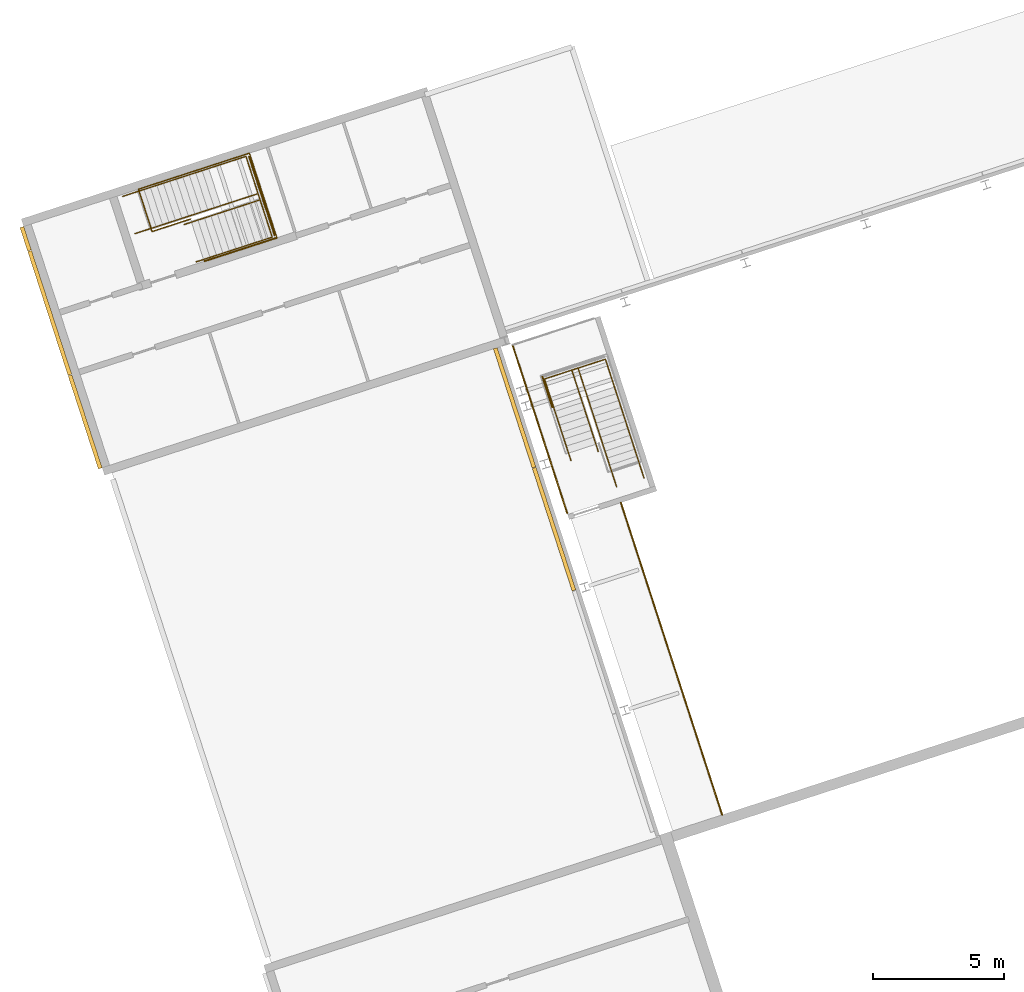
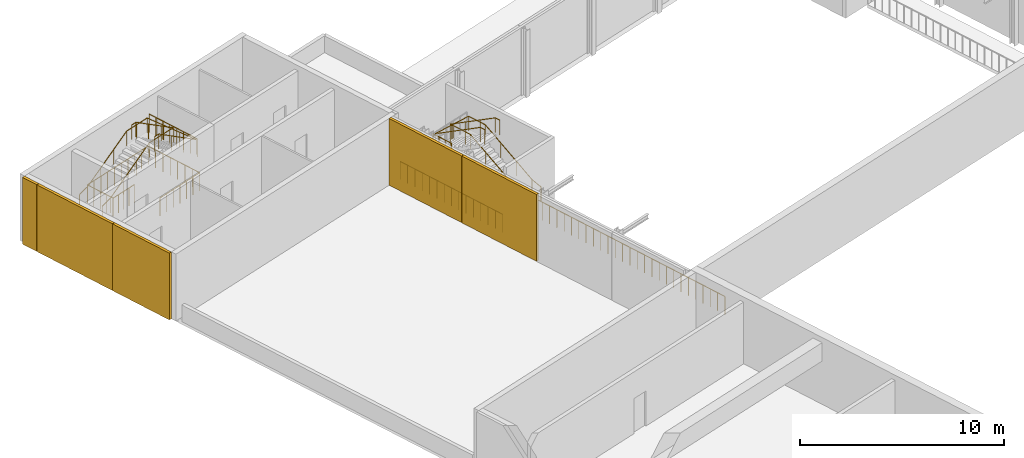
# One storey, part 68 of 72: 10 railings, 5 coverings.
"""IFC4 building model written with IfcOpenShell, lengths in metres."""

from ifc_helpers import new_model, si_unit, direction, frame, origin, origin_2d, place, context, subcontext, project, spatial, polyline, circle, outline, extrude, material, layer, layer_set, type_object, element, save


model = new_model("IFC4")

# Units and contexts
model_context = context("Model", 3, precision=1e-05, world=origin(), true_north=direction((0.0, 1.0)))
body_context = subcontext(model_context, "Body", "Model", "MODEL_VIEW")
ifc_project = project(units=[si_unit("LENGTHUNIT", "METRE"), si_unit("AREAUNIT", "SQUARE_METRE"), si_unit("VOLUMEUNIT", "CUBIC_METRE"), si_unit("PLANEANGLEUNIT", "RADIAN"), si_unit("MASSUNIT", "GRAM", prefix="KILO")], contexts=[model_context])

# Site, building, storey
site_placement = place(None, origin())
site = spatial("IfcSite", under=ifc_project, at=site_placement, CompositionType="ELEMENT")
building_placement = place(site_placement, origin())
building = spatial("IfcBuilding", under=site, at=building_placement, Name="Tuart Plaza Theatre", CompositionType="ELEMENT")
storey_placement = place(building_placement, frame((0.0, 0.0, 13.5)))
storey = spatial("IfcBuildingStorey", under=building, at=storey_placement, Name="L03", CompositionType="ELEMENT", Elevation=13.5)

# Coverings
ifc_material_1 = material(Name="Zinc")
ifc_layer = layer(ifc_material_1, 0.14990234375)
ifc_layer_set = layer_set([ifc_layer], Name="COVERING-ZINC-RAINSCREEN150")
covering_type = type_object("IfcCoveringType", Name="COVERING-ZINC-RAINSCREEN150", PredefinedType="CLADDING", material=ifc_layer_set)
covering_1_placement = place(storey_placement, origin())
element("IfcCovering", 1, at=covering_1_placement, inside=storey, type_object=covering_type, Name="CL10", PredefinedType="CLADDING", context=body_context, shape_type="SweptSolid", body=[
    extrude(outline(polyline([(37.733642578125, 78.085693359375), (36.210205078125, 82.7744140625), (36.352783203125, 82.82080078125), (37.876220703125, 78.132080078125), (37.733642578125, 78.085693359375)])), origin(), (0.0, 0.0, 1.0), 4.0),
])
covering_2_placement = place(storey_placement, origin())
element("IfcCovering", 2, at=covering_2_placement, inside=storey, type_object=covering_type, Name="CL11", PredefinedType="CLADDING", context=body_context, shape_type="SweptSolid", body=[
    extrude(outline(polyline([(36.203857421875, 82.793212890625), (34.7236328125, 87.348876953125), (34.866455078125, 87.395263671875), (36.3466796875, 82.839599609375), (36.203857421875, 82.793212890625)])), origin(), (0.0, 0.0, 1.0), 4.0),
])
covering_3_placement = place(storey_placement, origin())
element("IfcCovering", 3, at=covering_3_placement, inside=storey, type_object=covering_type, Name="CL179", PredefinedType="CLADDING", context=body_context, shape_type="SweptSolid", body=[
    extrude(outline(polyline([(19.61865234375, 82.75634765625), (18.462890625, 86.313232421875), (18.60546875, 86.359619140625), (19.76123046875, 82.802734375), (19.61865234375, 82.75634765625)])), origin(), (0.0, 0.0, 1.0), 4.0),
])
covering_4_placement = place(storey_placement, origin())
element("IfcCovering", 4, at=covering_4_placement, inside=storey, type_object=covering_type, Name="CL180", PredefinedType="CLADDING", context=body_context, shape_type="SweptSolid", body=[
    extrude(outline(polyline([(18.456787109375, 86.33251953125), (16.917724609375, 91.068603515625), (17.060546875, 91.114990234375), (18.599365234375, 86.378662109375), (18.456787109375, 86.33251953125)])), origin(), (0.0, 0.0, 1.0), 4.0),
])
covering_5_placement = place(storey_placement, origin())
element("IfcCovering", 5, at=covering_5_placement, inside=storey, type_object=covering_type, Name="CL181", PredefinedType="CLADDING", context=body_context, shape_type="SweptSolid", body=[
    extrude(outline(polyline([(16.91162109375, 91.087646484375), (16.62109375, 91.981689453125), (16.763916015625, 92.028076171875), (17.05419921875, 91.134033203125), (16.91162109375, 91.087646484375)])), origin(), (0.0, 0.0, 1.0), 4.0),
])

# Railings
ifc_material_2 = material(Name="Steel Grade C350L0", Category="steel")
railing_type_1 = type_object("IfcRailingType", Name="RAILING Guard 1100", PredefinedType="GUARDRAIL", material=ifc_material_2)
railing_1_placement = place(storey_placement, frame((26.4404296875, 91.59716796875, 0.0)))
element("IfcRailing", 6, at=railing_1_placement, inside=storey, type_object=railing_type_1, Name="GR31", PredefinedType="GUARDRAIL", context=body_context, shape_type="SweptSolid", body=[
    extrude(circle(Radius=0.02490234375, at=origin_2d()), frame((0.0, 0.0, 1.0751953125), z_axis=(-0.951039018312, -0.309070842442, 0.0), x_axis=(0.309070842442, -0.951039018312, 0.0)), (0.0, 0.0, 1.0), 2.89990234375),
    extrude(circle(Radius=0.02490234375, at=origin_2d()), frame((-2.7578125, -0.896240234375, 1.0751953125), z_axis=(-0.316227766017, 0.948683298051, 0.0), x_axis=(-0.948683298051, -0.316227766017, 0.0)), (0.0, 0.0, 1.0), 0.02001953125),
    extrude(circle(Radius=0.02001953125, at=origin_2d()), origin(), (0.0, 0.0, 1.0), 1.050048828125),
    extrude(circle(Radius=0.02001953125, at=origin_2d()), frame((-0.459716796875, -0.1494140625, 0.0)), (0.0, 0.0, 1.0), 1.050048828125),
    extrude(circle(Radius=0.02001953125, at=origin_2d()), frame((-0.919189453125, -0.298828125, 0.0)), (0.0, 0.0, 1.0), 1.050048828125),
    extrude(circle(Radius=0.02001953125, at=origin_2d()), frame((-1.37890625, -0.4482421875, 0.0)), (0.0, 0.0, 1.0), 1.050048828125),
    extrude(circle(Radius=0.02001953125, at=origin_2d()), frame((-1.838623046875, -0.597412109375, 0.0)), (0.0, 0.0, 1.0), 1.050048828125),
    extrude(circle(Radius=0.02001953125, at=origin_2d()), frame((-2.298095703125, -0.746826171875, 0.0)), (0.0, 0.0, 1.0), 1.050048828125),
    extrude(circle(Radius=0.02001953125, at=origin_2d()), frame((-2.7578125, -0.896240234375, 0.0)), (0.0, 0.0, 1.0), 1.050048828125),
    extrude(circle(Radius=0.02001953125, at=origin_2d()), frame((-2.76416015625, -0.877197265625, 0.0)), (0.0, 0.0, 1.0), 1.050048828125),
])
railing_2_placement = place(storey_placement, frame((23.15234375, 92.316162109375, 0.0)))
element("IfcRailing", 7, at=railing_2_placement, inside=storey, type_object=railing_type_1, Name="GR32", PredefinedType="GUARDRAIL", context=body_context, shape_type="SweptSolid", body=[
    extrude(circle(Radius=0.02490234375, at=origin_2d()), frame((0.0, 0.0, 1.0751953125), z_axis=(-0.951058297536, -0.309011512226, 0.0), x_axis=(0.309011512226, -0.951058297536, 0.0)), (0.0, 0.0, 1.0), 1.554931640625),
    extrude(circle(Radius=0.02490234375, at=origin_2d()), frame((-1.478759765625, -0.48046875, 1.0751953125), z_axis=(-0.309024378638, 0.951054116971, 0.0), x_axis=(-0.951054116971, -0.309024378638, 0.0)), (0.0, 0.0, 1.0), 1.7001953125),
    extrude(circle(Radius=0.02490234375, at=origin_2d()), frame((-2.004150390625, 1.136474609375, 1.0751953125), z_axis=(0.951059006692, 0.309009329618, 0.0), x_axis=(-0.309009329618, 0.951059006692, 0.0)), (0.0, 0.0, 1.0), 4.4599609375),
    extrude(circle(Radius=0.02490234375, at=origin_2d()), frame((2.237548828125, 2.5146484375, 1.0751953125), z_axis=(0.308980533303, -0.951068362443, 0.0), x_axis=(0.951068362443, 0.308980533303, 0.0)), (0.0, 0.0, 1.0), 3.39990234375),
    extrude(circle(Radius=0.02001953125, at=origin_2d()), origin(), (0.0, 0.0, 1.0), 1.050048828125),
    extrude(circle(Radius=0.02001953125, at=origin_2d()), frame((-0.36962890625, -0.1201171875, 0.0)), (0.0, 0.0, 1.0), 1.050048828125),
    extrude(circle(Radius=0.02001953125, at=origin_2d()), frame((-0.7392578125, -0.240234375, 0.0)), (0.0, 0.0, 1.0), 1.050048828125),
    extrude(circle(Radius=0.02001953125, at=origin_2d()), frame((-1.109130859375, -0.3603515625, 0.0)), (0.0, 0.0, 1.0), 1.050048828125),
    extrude(circle(Radius=0.02001953125, at=origin_2d()), frame((-1.478759765625, -0.48046875, 0.0)), (0.0, 0.0, 1.0), 1.050048828125),
    extrude(circle(Radius=0.02001953125, at=origin_2d()), frame((-1.610107421875, -0.076171875, 0.0)), (0.0, 0.0, 1.0), 1.050048828125),
    extrude(circle(Radius=0.02001953125, at=origin_2d()), frame((-1.741455078125, 0.328125, 0.0)), (0.0, 0.0, 1.0), 1.050048828125),
    extrude(circle(Radius=0.02001953125, at=origin_2d()), frame((-1.872802734375, 0.732177734375, 0.0)), (0.0, 0.0, 1.0), 1.050048828125),
    extrude(circle(Radius=0.02001953125, at=origin_2d()), frame((-2.004150390625, 1.136474609375, 0.0)), (0.0, 0.0, 1.0), 1.050048828125),
    extrude(circle(Radius=0.02001953125, at=origin_2d()), frame((-1.532958984375, 1.28955078125, 0.0)), (0.0, 0.0, 1.0), 1.050048828125),
    extrude(circle(Radius=0.02001953125, at=origin_2d()), frame((-1.0615234375, 1.442626953125, 0.0)), (0.0, 0.0, 1.0), 1.050048828125),
    extrude(circle(Radius=0.02001953125, at=origin_2d()), frame((-0.59033203125, 1.595947265625, 0.0)), (0.0, 0.0, 1.0), 1.050048828125),
    extrude(circle(Radius=0.02001953125, at=origin_2d()), frame((-0.118896484375, 1.7490234375, 0.0)), (0.0, 0.0, 1.0), 1.050048828125),
    extrude(circle(Radius=0.02001953125, at=origin_2d()), frame((0.352294921875, 1.902099609375, 0.0)), (0.0, 0.0, 1.0), 1.050048828125),
    extrude(circle(Radius=0.02001953125, at=origin_2d()), frame((0.82373046875, 2.05517578125, 0.0)), (0.0, 0.0, 1.0), 1.050048828125),
    extrude(circle(Radius=0.02001953125, at=origin_2d()), frame((1.294921875, 2.20849609375, 0.0)), (0.0, 0.0, 1.0), 1.050048828125),
    extrude(circle(Radius=0.02001953125, at=origin_2d()), frame((1.766357421875, 2.361572265625, 0.0)), (0.0, 0.0, 1.0), 1.050048828125),
    extrude(circle(Radius=0.02001953125, at=origin_2d()), frame((2.237548828125, 2.5146484375, 0.0)), (0.0, 0.0, 1.0), 1.050048828125),
    extrude(circle(Radius=0.02001953125, at=origin_2d()), frame((2.3876953125, 2.052734375, 0.0)), (0.0, 0.0, 1.0), 1.050048828125),
    extrude(circle(Radius=0.02001953125, at=origin_2d()), frame((2.53759765625, 1.5908203125, 0.0)), (0.0, 0.0, 1.0), 1.050048828125),
    extrude(circle(Radius=0.02001953125, at=origin_2d()), frame((2.687744140625, 1.12890625, 0.0)), (0.0, 0.0, 1.0), 1.050048828125),
    extrude(circle(Radius=0.02001953125, at=origin_2d()), frame((2.837890625, 0.666748046875, 0.0)), (0.0, 0.0, 1.0), 1.050048828125),
    extrude(circle(Radius=0.02001953125, at=origin_2d()), frame((2.988037109375, 0.204833984375, 0.0)), (0.0, 0.0, 1.0), 1.050048828125),
    extrude(circle(Radius=0.02001953125, at=origin_2d()), frame((3.137939453125, -0.257080078125, 0.0)), (0.0, 0.0, 1.0), 1.050048828125),
    extrude(circle(Radius=0.02001953125, at=origin_2d()), frame((3.2880859375, -0.718994140625, 0.0)), (0.0, 0.0, 1.0), 1.050048828125),
])
railing_3_placement = place(storey_placement, frame((25.37939453125, 94.701171875, 2.0)))
element("IfcRailing", 8, at=railing_3_placement, inside=storey, type_object=railing_type_1, Name="GR36", PredefinedType="GUARDRAIL", context=body_context, shape_type="SweptSolid", body=[
    extrude(circle(Radius=0.02490234375, at=origin_2d()), frame((0.0, 0.0, 1.0751953125), z_axis=(0.309033663672, -0.951051099951, 0.0), x_axis=(0.951051099951, 0.309033663672, 0.0)), (0.0, 0.0, 1.0), 3.16015625),
    extrude(circle(Radius=0.02001953125, at=origin_2d()), origin(), (0.0, 0.0, 1.0), 1.050048828125),
    extrude(circle(Radius=0.02001953125, at=origin_2d()), frame((0.139404296875, -0.429443359375, 0.0)), (0.0, 0.0, 1.0), 1.050048828125),
    extrude(circle(Radius=0.02001953125, at=origin_2d()), frame((0.279052734375, -0.858642578125, 0.0)), (0.0, 0.0, 1.0), 1.050048828125),
    extrude(circle(Radius=0.02001953125, at=origin_2d()), frame((0.41845703125, -1.2880859375, 0.0)), (0.0, 0.0, 1.0), 1.050048828125),
    extrude(circle(Radius=0.02001953125, at=origin_2d()), frame((0.55810546875, -1.71728515625, 0.0)), (0.0, 0.0, 1.0), 1.050048828125),
    extrude(circle(Radius=0.02001953125, at=origin_2d()), frame((0.697509765625, -2.146728515625, 0.0)), (0.0, 0.0, 1.0), 1.050048828125),
    extrude(circle(Radius=0.02001953125, at=origin_2d()), frame((0.837158203125, -2.575927734375, 0.0)), (0.0, 0.0, 1.0), 1.050048828125),
    extrude(circle(Radius=0.02001953125, at=origin_2d()), frame((0.9765625, -3.00537109375, 0.0)), (0.0, 0.0, 1.0), 1.050048828125),
])
railing_4_placement = place(storey_placement, frame((36.593994140625, 86.284912109375, 2.0)))
element("IfcRailing", 9, at=railing_4_placement, inside=storey, type_object=railing_type_1, Name="GR63", PredefinedType="GUARDRAIL", context=body_context, shape_type="SweptSolid", body=[
    extrude(circle(Radius=0.02490234375, at=origin_2d()), frame((0.0, 0.0, 1.0751953125), z_axis=(0.309014268544, -0.951057401967, 0.0), x_axis=(0.951057401967, 0.309014268544, 0.0)), (0.0, 0.0, 1.0), 1.230224609375),
    extrude(circle(Radius=0.02001953125, at=origin_2d()), origin(), (0.0, 0.0, 1.0), 1.050048828125),
    extrude(circle(Radius=0.02001953125, at=origin_2d()), frame((0.126708984375, -0.389892578125, 0.0)), (0.0, 0.0, 1.0), 1.050048828125),
    extrude(circle(Radius=0.02001953125, at=origin_2d()), frame((0.25341796875, -0.780029296875, 0.0)), (0.0, 0.0, 1.0), 1.050048828125),
    extrude(circle(Radius=0.02001953125, at=origin_2d()), frame((0.380126953125, -1.169921875, 0.0)), (0.0, 0.0, 1.0), 1.050048828125),
])
railing_5_placement = place(storey_placement, frame((35.45068359375, 87.50634765625, 0.0)))
element("IfcRailing", 10, at=railing_5_placement, inside=storey, type_object=railing_type_1, Name="GR99", PredefinedType="GUARDRAIL", context=body_context, shape_type="SweptSolid", body=[
    extrude(circle(Radius=0.02490234375, at=origin_2d()), frame((0.0, 0.0, 1.0751953125), z_axis=(0.309019159347, -0.95105581285, 0.0), x_axis=(0.95105581285, 0.309019159347, 0.0)), (0.0, 0.0, 1.0), 6.76513671875),
    extrude(circle(Radius=0.02001953125, at=origin_2d()), origin(), (0.0, 0.0, 1.0), 1.050048828125),
    extrude(circle(Radius=0.02001953125, at=origin_2d()), frame((0.1494140625, -0.45947265625, 0.0)), (0.0, 0.0, 1.0), 1.050048828125),
    extrude(circle(Radius=0.02001953125, at=origin_2d()), frame((0.298583984375, -0.919189453125, 0.0)), (0.0, 0.0, 1.0), 1.050048828125),
    extrude(circle(Radius=0.02001953125, at=origin_2d()), frame((0.447998046875, -1.378662109375, 0.0)), (0.0, 0.0, 1.0), 1.050048828125),
    extrude(circle(Radius=0.02001953125, at=origin_2d()), frame((0.597412109375, -1.83837890625, 0.0)), (0.0, 0.0, 1.0), 1.050048828125),
    extrude(circle(Radius=0.02001953125, at=origin_2d()), frame((0.74658203125, -2.2978515625, 0.0)), (0.0, 0.0, 1.0), 1.050048828125),
    extrude(circle(Radius=0.02001953125, at=origin_2d()), frame((0.89599609375, -2.757568359375, 0.0)), (0.0, 0.0, 1.0), 1.050048828125),
    extrude(circle(Radius=0.02001953125, at=origin_2d()), frame((1.04541015625, -3.217041015625, 0.0)), (0.0, 0.0, 1.0), 1.050048828125),
    extrude(circle(Radius=0.02001953125, at=origin_2d()), frame((1.194580078125, -3.676513671875, 0.0)), (0.0, 0.0, 1.0), 1.050048828125),
    extrude(circle(Radius=0.02001953125, at=origin_2d()), frame((1.343994140625, -4.13623046875, 0.0)), (0.0, 0.0, 1.0), 1.050048828125),
    extrude(circle(Radius=0.02001953125, at=origin_2d()), frame((1.4931640625, -4.595703125, 0.0)), (0.0, 0.0, 1.0), 1.050048828125),
    extrude(circle(Radius=0.02001953125, at=origin_2d()), frame((1.642578125, -5.055419921875, 0.0)), (0.0, 0.0, 1.0), 1.050048828125),
    extrude(circle(Radius=0.02001953125, at=origin_2d()), frame((1.7919921875, -5.514892578125, 0.0)), (0.0, 0.0, 1.0), 1.050048828125),
    extrude(circle(Radius=0.02001953125, at=origin_2d()), frame((1.941162109375, -5.974609375, 0.0)), (0.0, 0.0, 1.0), 1.050048828125),
    extrude(circle(Radius=0.02001953125, at=origin_2d()), frame((2.090576171875, -6.43408203125, 0.0)), (0.0, 0.0, 1.0), 1.050048828125),
])
railing_6_placement = place(storey_placement, frame((43.47314453125, 69.530517578125, 0.0)))
element("IfcRailing", 11, at=railing_6_placement, inside=storey, type_object=railing_type_1, Name="GR117", PredefinedType="GUARDRAIL", context=body_context, shape_type="SweptSolid", body=[
    extrude(circle(Radius=0.02490234375, at=origin_2d()), frame((0.0, 0.0, 1.0751953125), z_axis=(-0.309017011458, 0.951056510744, 0.0), x_axis=(-0.951056510744, -0.309017011458, 0.0)), (0.0, 0.0, 1.0), 12.550048828125),
    extrude(circle(Radius=0.02001953125, at=origin_2d()), origin(), (0.0, 0.0, 1.0), 1.050048828125),
    extrude(circle(Radius=0.02001953125, at=origin_2d()), frame((-0.149169921875, 0.458984375, 0.0)), (0.0, 0.0, 1.0), 1.050048828125),
    extrude(circle(Radius=0.02001953125, at=origin_2d()), frame((-0.29833984375, 0.918212890625, 0.0)), (0.0, 0.0, 1.0), 1.050048828125),
    extrude(circle(Radius=0.02001953125, at=origin_2d()), frame((-0.447509765625, 1.377197265625, 0.0)), (0.0, 0.0, 1.0), 1.050048828125),
    extrude(circle(Radius=0.02001953125, at=origin_2d()), frame((-0.5966796875, 1.836181640625, 0.0)), (0.0, 0.0, 1.0), 1.050048828125),
    extrude(circle(Radius=0.02001953125, at=origin_2d()), frame((-0.745849609375, 2.29541015625, 0.0)), (0.0, 0.0, 1.0), 1.050048828125),
    extrude(circle(Radius=0.02001953125, at=origin_2d()), frame((-0.89501953125, 2.75439453125, 0.0)), (0.0, 0.0, 1.0), 1.050048828125),
    extrude(circle(Radius=0.02001953125, at=origin_2d()), frame((-1.044189453125, 3.21337890625, 0.0)), (0.0, 0.0, 1.0), 1.050048828125),
    extrude(circle(Radius=0.02001953125, at=origin_2d()), frame((-1.193359375, 3.672607421875, 0.0)), (0.0, 0.0, 1.0), 1.050048828125),
    extrude(circle(Radius=0.02001953125, at=origin_2d()), frame((-1.342529296875, 4.131591796875, 0.0)), (0.0, 0.0, 1.0), 1.050048828125),
    extrude(circle(Radius=0.02001953125, at=origin_2d()), frame((-1.49169921875, 4.590576171875, 0.0)), (0.0, 0.0, 1.0), 1.050048828125),
    extrude(circle(Radius=0.02001953125, at=origin_2d()), frame((-1.640869140625, 5.0498046875, 0.0)), (0.0, 0.0, 1.0), 1.050048828125),
    extrude(circle(Radius=0.02001953125, at=origin_2d()), frame((-1.7900390625, 5.5087890625, 0.0)), (0.0, 0.0, 1.0), 1.050048828125),
    extrude(circle(Radius=0.02001953125, at=origin_2d()), frame((-1.93896484375, 5.9677734375, 0.0)), (0.0, 0.0, 1.0), 1.050048828125),
    extrude(circle(Radius=0.02001953125, at=origin_2d()), frame((-2.088134765625, 6.427001953125, 0.0)), (0.0, 0.0, 1.0), 1.050048828125),
    extrude(circle(Radius=0.02001953125, at=origin_2d()), frame((-2.2373046875, 6.885986328125, 0.0)), (0.0, 0.0, 1.0), 1.050048828125),
    extrude(circle(Radius=0.02001953125, at=origin_2d()), frame((-2.386474609375, 7.34521484375, 0.0)), (0.0, 0.0, 1.0), 1.050048828125),
    extrude(circle(Radius=0.02001953125, at=origin_2d()), frame((-2.53564453125, 7.80419921875, 0.0)), (0.0, 0.0, 1.0), 1.050048828125),
    extrude(circle(Radius=0.02001953125, at=origin_2d()), frame((-2.684814453125, 8.26318359375, 0.0)), (0.0, 0.0, 1.0), 1.050048828125),
    extrude(circle(Radius=0.02001953125, at=origin_2d()), frame((-2.833984375, 8.722412109375, 0.0)), (0.0, 0.0, 1.0), 1.050048828125),
    extrude(circle(Radius=0.02001953125, at=origin_2d()), frame((-2.983154296875, 9.181396484375, 0.0)), (0.0, 0.0, 1.0), 1.050048828125),
    extrude(circle(Radius=0.02001953125, at=origin_2d()), frame((-3.13232421875, 9.640380859375, 0.0)), (0.0, 0.0, 1.0), 1.050048828125),
    extrude(circle(Radius=0.02001953125, at=origin_2d()), frame((-3.281494140625, 10.099609375, 0.0)), (0.0, 0.0, 1.0), 1.050048828125),
    extrude(circle(Radius=0.02001953125, at=origin_2d()), frame((-3.4306640625, 10.55859375, 0.0)), (0.0, 0.0, 1.0), 1.050048828125),
    extrude(circle(Radius=0.02001953125, at=origin_2d()), frame((-3.579833984375, 11.017578125, 0.0)), (0.0, 0.0, 1.0), 1.050048828125),
    extrude(circle(Radius=0.02001953125, at=origin_2d()), frame((-3.72900390625, 11.476806640625, 0.0)), (0.0, 0.0, 1.0), 1.050048828125),
    extrude(circle(Radius=0.02001953125, at=origin_2d()), frame((-3.878173828125, 11.935791015625, 0.0)), (0.0, 0.0, 1.0), 1.050048828125),
])
ifc_material_3 = material(Name="Steel Grade C350L0", Category="steel")
railing_type_2 = type_object("IfcRailingType", Name="RAILING Handrail 900", PredefinedType="HANDRAIL", material=ifc_material_3)
railing_7_placement = place(storey_placement, frame((21.007080078125, 91.750732421875, 0.0)))
element("IfcRailing", 12, at=railing_7_placement, inside=storey, type_object=railing_type_2, Name="HR23", PredefinedType="HANDRAIL", context=body_context, shape_type="SweptSolid", body=[
    extrude(circle(Radius=0.0224609375, at=origin_2d()), frame((0.0, 0.0, 0.87744140625), z_axis=(0.91641792704, 0.297502654672, 0.267713192544), x_axis=(-0.308773297186, 0.951135663796, 0.0)), (0.0, 0.0, 1.0), 0.622802734375),
    extrude(circle(Radius=0.0224609375, at=origin_2d()), frame((0.57080078125, 0.185302734375, 1.044189453125), z_axis=(0.80067958274, 0.260161573424, 0.539655595261), x_axis=(-0.309022373402, 0.951054768527, 0.0)), (0.0, 0.0, 1.0), 3.39697265625),
    extrude(circle(Radius=0.0224609375, at=origin_2d()), frame((3.290771484375, 1.069091796875, 2.87744140625), z_axis=(0.951032872603, 0.309089752708, 0.0), x_axis=(-0.309089752708, 0.951032872603, 0.0)), (0.0, 0.0, 1.0), 1.5),
    extrude(circle(Radius=0.0224609375, at=origin_2d()), frame((4.71728515625, 1.53271484375, 2.87744140625), z_axis=(0.227464384092, -0.698896877306, 0.678087832704), x_axis=(0.95090484413, 0.309483404096, 0.0)), (0.0, 0.0, 1.0), 0.34033203125),
    extrude(circle(Radius=0.0224609375, at=origin_2d()), frame((4.794677734375, 1.294921875, 3.108154296875), z_axis=(-0.800683001475, -0.26011771988, 0.539671662174), x_axis=(0.308974063591, -0.951070464281, 0.0)), (0.0, 0.0, 1.0), 3.278564453125),
    extrude(circle(Radius=0.0224609375, at=origin_2d()), frame((2.169677734375, 0.442138671875, 4.87744140625), z_axis=(-0.951016131768, -0.309141257546, 0.0), x_axis=(0.309141257546, -0.951016131768, 0.0)), (0.0, 0.0, 1.0), 0.300048828125),
    extrude(circle(Radius=0.01513671875, at=origin_2d()), origin(), (0.0, 0.0, 1.0), 0.85498046875),
    extrude(circle(Radius=0.01513671875, at=origin_2d()), frame((0.57080078125, 0.185302734375, 0.166748046875)), (0.0, 0.0, 1.0), 0.85498046875),
    extrude(circle(Radius=0.01513671875, at=origin_2d()), frame((1.4775390625, 0.47998046875, 0.77783203125)), (0.0, 0.0, 1.0), 0.85498046875),
    extrude(circle(Radius=0.01513671875, at=origin_2d()), frame((2.384033203125, 0.7744140625, 1.388916015625)), (0.0, 0.0, 1.0), 0.85498046875),
    extrude(circle(Radius=0.01513671875, at=origin_2d()), frame((3.290771484375, 1.069091796875, 2.0)), (0.0, 0.0, 1.0), 0.85498046875),
    extrude(circle(Radius=0.01513671875, at=origin_2d()), frame((4.71728515625, 1.53271484375, 2.0)), (0.0, 0.0, 1.0), 0.85498046875),
    extrude(circle(Radius=0.01513671875, at=origin_2d()), frame((4.794677734375, 1.294921875, 2.230712890625)), (0.0, 0.0, 1.0), 0.85498046875),
    extrude(circle(Radius=0.01513671875, at=origin_2d()), frame((3.919677734375, 1.0107421875, 2.820556640625)), (0.0, 0.0, 1.0), 0.85498046875),
    extrude(circle(Radius=0.01513671875, at=origin_2d()), frame((3.044677734375, 0.726318359375, 3.41015625)), (0.0, 0.0, 1.0), 0.85498046875),
    extrude(circle(Radius=0.01513671875, at=origin_2d()), frame((2.169677734375, 0.442138671875, 4.0)), (0.0, 0.0, 1.0), 0.85498046875),
    extrude(circle(Radius=0.01513671875, at=origin_2d()), frame((1.88427734375, 0.349365234375, 4.0)), (0.0, 0.0, 1.0), 0.85498046875),
])
railing_8_placement = place(storey_placement, frame((20.543701171875, 93.17724609375, 0.0)))
element("IfcRailing", 13, at=railing_8_placement, inside=storey, type_object=railing_type_2, Name="HR24", PredefinedType="HANDRAIL", context=body_context, shape_type="SweptSolid", body=[
    extrude(circle(Radius=0.0224609375, at=origin_2d()), frame((0.0, 0.0, 0.87744140625), z_axis=(0.916248123003, 0.297966869269, 0.267778120672), x_axis=(-0.309260889552, 0.950977235371, 0.0)), (0.0, 0.0, 1.0), 0.622802734375),
    extrude(circle(Radius=0.0224609375, at=origin_2d()), frame((0.570556640625, 0.185546875, 1.044189453125), z_axis=(0.80067958274, 0.260161573424, 0.539655595261), x_axis=(-0.309022373402, 0.951054768527, 0.0)), (0.0, 0.0, 1.0), 3.39697265625),
    extrude(circle(Radius=0.0224609375, at=origin_2d()), frame((3.29052734375, 1.0693359375, 2.87744140625), z_axis=(0.951096241278, 0.308894706699, 0.0), x_axis=(-0.308894706699, 0.951096241278, 0.0)), (0.0, 0.0, 1.0), 1.5),
    extrude(circle(Radius=0.0224609375, at=origin_2d()), frame((4.71728515625, 1.53271484375, 2.87744140625), z_axis=(0.308208462342, -0.948679585037, 0.070813760494), x_axis=(0.951067187383, 0.308984150214, 0.0)), (0.0, 0.0, 1.0), 3.258056640625),
    extrude(circle(Radius=0.0224609375, at=origin_2d()), frame((5.721435546875, -1.55810546875, 3.108154296875), z_axis=(-0.800640759168, -0.260202661383, 0.539693384959), x_axis=(0.309080071637, -0.951036018938, 0.0)), (0.0, 0.0, 1.0), 3.2783203125),
    extrude(circle(Radius=0.0224609375, at=origin_2d()), frame((3.0966796875, -2.4111328125, 4.87744140625), z_axis=(-0.951255083436, -0.308405198137, 0.0), x_axis=(0.308405198137, -0.951255083436, 0.0)), (0.0, 0.0, 1.0), 0.300048828125),
    extrude(circle(Radius=0.01513671875, at=origin_2d()), origin(), (0.0, 0.0, 1.0), 0.85498046875),
    extrude(circle(Radius=0.01513671875, at=origin_2d()), frame((0.570556640625, 0.185546875, 0.166748046875)), (0.0, 0.0, 1.0), 0.85498046875),
    extrude(circle(Radius=0.01513671875, at=origin_2d()), frame((1.477294921875, 0.480224609375, 0.77783203125)), (0.0, 0.0, 1.0), 0.85498046875),
    extrude(circle(Radius=0.01513671875, at=origin_2d()), frame((2.3837890625, 0.774658203125, 1.388916015625)), (0.0, 0.0, 1.0), 0.85498046875),
    extrude(circle(Radius=0.01513671875, at=origin_2d()), frame((3.29052734375, 1.0693359375, 2.0)), (0.0, 0.0, 1.0), 0.85498046875),
    extrude(circle(Radius=0.01513671875, at=origin_2d()), frame((4.00390625, 1.301025390625, 2.0)), (0.0, 0.0, 1.0), 0.85498046875),
    extrude(circle(Radius=0.01513671875, at=origin_2d()), frame((4.71728515625, 1.53271484375, 2.0)), (0.0, 0.0, 1.0), 0.85498046875),
    extrude(circle(Radius=0.01513671875, at=origin_2d()), frame((5.052001953125, 0.50244140625, 2.076904296875)), (0.0, 0.0, 1.0), 0.85498046875),
    extrude(circle(Radius=0.01513671875, at=origin_2d()), frame((5.38671875, -0.52783203125, 2.15380859375)), (0.0, 0.0, 1.0), 0.85498046875),
    extrude(circle(Radius=0.01513671875, at=origin_2d()), frame((5.721435546875, -1.55810546875, 2.230712890625)), (0.0, 0.0, 1.0), 0.85498046875),
    extrude(circle(Radius=0.01513671875, at=origin_2d()), frame((4.846435546875, -1.842529296875, 2.820556640625)), (0.0, 0.0, 1.0), 0.85498046875),
    extrude(circle(Radius=0.01513671875, at=origin_2d()), frame((3.9716796875, -2.126708984375, 3.41015625)), (0.0, 0.0, 1.0), 0.85498046875),
    extrude(circle(Radius=0.01513671875, at=origin_2d()), frame((3.0966796875, -2.4111328125, 4.0)), (0.0, 0.0, 1.0), 0.85498046875),
    extrude(circle(Radius=0.01513671875, at=origin_2d()), frame((2.811279296875, -2.503662109375, 4.0)), (0.0, 0.0, 1.0), 0.85498046875),
])
railing_9_placement = place(storey_placement, frame((39.436767578125, 82.066650390625, 0.0)))
element("IfcRailing", 14, at=railing_9_placement, inside=storey, type_object=railing_type_2, Name="HR35", PredefinedType="HANDRAIL", context=body_context, shape_type="SweptSolid", body=[
    extrude(circle(Radius=0.0224609375, at=origin_2d()), frame((0.0, 0.0, 0.87744140625), z_axis=(-0.297859866657, 0.916311010847, 0.267681959114), x_axis=(-0.951016131768, -0.309141257546, 0.0)), (0.0, 0.0, 1.0), 0.623046875),
    extrude(circle(Radius=0.0224609375, at=origin_2d()), frame((-0.185546875, 0.57080078125, 1.044189453125), z_axis=(-0.265513415955, 0.817247297236, 0.511477742536), x_axis=(-0.951065520339, -0.308989281404, 0.0)), (0.0, 0.0, 1.0), 3.584228515625),
    extrude(circle(Radius=0.0224609375, at=origin_2d()), frame((-1.13720703125, 3.5, 2.87744140625), z_axis=(-0.309161347536, 0.951009600998, 0.0), x_axis=(-0.951009600998, -0.309161347536, 0.0)), (0.0, 0.0, 1.0), 1.10009765625),
    extrude(circle(Radius=0.0224609375, at=origin_2d()), frame((-1.477294921875, 4.546142578125, 2.87744140625), z_axis=(-0.705135226707, -0.229005890688, 0.671074223978), x_axis=(0.30888714147, -0.951098698261, 0.0)), (0.0, 0.0, 1.0), 0.3369140625),
    extrude(circle(Radius=0.0224609375, at=origin_2d()), frame((-1.71484375, 4.468994140625, 3.103515625), z_axis=(0.265468554482, -0.817243290635, 0.511507429559), x_axis=(0.951080416459, 0.308943427553, 0.0)), (0.0, 0.0, 1.0), 3.468017578125),
    extrude(circle(Radius=0.0224609375, at=origin_2d()), frame((-0.794189453125, 1.634765625, 4.87744140625), z_axis=(0.309141257546, -0.951016131768, 0.0), x_axis=(0.951016131768, 0.309141257546, 0.0)), (0.0, 0.0, 1.0), 0.300048828125),
    extrude(circle(Radius=0.01513671875, at=origin_2d()), origin(), (0.0, 0.0, 1.0), 0.85498046875),
    extrude(circle(Radius=0.01513671875, at=origin_2d()), frame((-0.185546875, 0.57080078125, 0.166748046875)), (0.0, 0.0, 1.0), 0.85498046875),
    extrude(circle(Radius=0.01513671875, at=origin_2d()), frame((-0.502685546875, 1.547119140625, 0.77783203125)), (0.0, 0.0, 1.0), 0.85498046875),
    extrude(circle(Radius=0.01513671875, at=origin_2d()), frame((-0.820068359375, 2.523681640625, 1.388916015625)), (0.0, 0.0, 1.0), 0.85498046875),
    extrude(circle(Radius=0.01513671875, at=origin_2d()), frame((-1.13720703125, 3.5, 2.0)), (0.0, 0.0, 1.0), 0.85498046875),
    extrude(circle(Radius=0.01513671875, at=origin_2d()), frame((-1.477294921875, 4.546142578125, 2.0)), (0.0, 0.0, 1.0), 0.85498046875),
    extrude(circle(Radius=0.01513671875, at=origin_2d()), frame((-1.71484375, 4.468994140625, 2.22607421875)), (0.0, 0.0, 1.0), 0.85498046875),
    extrude(circle(Radius=0.01513671875, at=origin_2d()), frame((-1.407958984375, 3.524169921875, 2.8173828125)), (0.0, 0.0, 1.0), 0.85498046875),
    extrude(circle(Radius=0.01513671875, at=origin_2d()), frame((-1.10107421875, 2.57958984375, 3.40869140625)), (0.0, 0.0, 1.0), 0.85498046875),
    extrude(circle(Radius=0.01513671875, at=origin_2d()), frame((-0.794189453125, 1.634765625, 4.0)), (0.0, 0.0, 1.0), 0.85498046875),
    extrude(circle(Radius=0.01513671875, at=origin_2d()), frame((-0.701416015625, 1.349365234375, 4.0)), (0.0, 0.0, 1.0), 0.85498046875),
])
railing_10_placement = place(storey_placement, frame((40.48291015625, 82.40673828125, 0.0)))
element("IfcRailing", 15, at=railing_10_placement, inside=storey, type_object=railing_type_2, Name="HR36", PredefinedType="HANDRAIL", context=body_context, shape_type="SweptSolid", body=[
    extrude(circle(Radius=0.0224609375, at=origin_2d()), frame((0.0, 0.0, 0.87744140625), z_axis=(-0.297966869269, 0.916248123003, 0.267778120672), x_axis=(-0.950977235371, -0.309260889552, 0.0)), (0.0, 0.0, 1.0), 0.622802734375),
    extrude(circle(Radius=0.0224609375, at=origin_2d()), frame((-0.185546875, 0.570556640625, 1.044189453125), z_axis=(-0.265513415955, 0.817247297236, 0.511477742536), x_axis=(-0.951065520339, -0.308989281404, 0.0)), (0.0, 0.0, 1.0), 3.584228515625),
    extrude(circle(Radius=0.0224609375, at=origin_2d()), frame((-1.13720703125, 3.499755859375, 2.87744140625), z_axis=(-0.308960600764, 0.951074837842, 0.0), x_axis=(-0.951074837842, -0.308960600764, 0.0)), (0.0, 0.0, 1.0), 1.099853515625),
    extrude(circle(Radius=0.0224609375, at=origin_2d()), frame((-1.47705078125, 4.5458984375, 2.87744140625), z_axis=(-0.947044372625, -0.307677799844, 0.091876698696), x_axis=(0.308984684145, -0.951067013919, 0.0)), (0.0, 0.0, 1.0), 2.460693359375),
    extrude(circle(Radius=0.0224609375, at=origin_2d()), frame((-3.807373046875, 3.788818359375, 3.103515625), z_axis=(0.265549265619, -0.817204632901, 0.511527296921), x_axis=(0.951048517831, 0.309041610033, 0.0)), (0.0, 0.0, 1.0), 3.468017578125),
    extrude(circle(Radius=0.0224609375, at=origin_2d()), frame((-2.886474609375, 0.954833984375, 4.87744140625), z_axis=(0.309141257546, -0.951016131768, 0.0), x_axis=(0.951016131768, 0.309141257546, 0.0)), (0.0, 0.0, 1.0), 0.300048828125),
    extrude(circle(Radius=0.01513671875, at=origin_2d()), origin(), (0.0, 0.0, 1.0), 0.85498046875),
    extrude(circle(Radius=0.01513671875, at=origin_2d()), frame((-0.185546875, 0.570556640625, 0.166748046875)), (0.0, 0.0, 1.0), 0.85498046875),
    extrude(circle(Radius=0.01513671875, at=origin_2d()), frame((-0.502685546875, 1.546875, 0.77783203125)), (0.0, 0.0, 1.0), 0.85498046875),
    extrude(circle(Radius=0.01513671875, at=origin_2d()), frame((-0.820068359375, 2.5234375, 1.388916015625)), (0.0, 0.0, 1.0), 0.85498046875),
    extrude(circle(Radius=0.01513671875, at=origin_2d()), frame((-1.13720703125, 3.499755859375, 2.0)), (0.0, 0.0, 1.0), 0.85498046875),
    extrude(circle(Radius=0.01513671875, at=origin_2d()), frame((-1.47705078125, 4.5458984375, 2.0)), (0.0, 0.0, 1.0), 0.85498046875),
    extrude(circle(Radius=0.01513671875, at=origin_2d()), frame((-2.64208984375, 4.16748046875, 2.113037109375)), (0.0, 0.0, 1.0), 0.85498046875),
    extrude(circle(Radius=0.01513671875, at=origin_2d()), frame((-3.807373046875, 3.788818359375, 2.22607421875)), (0.0, 0.0, 1.0), 0.85498046875),
    extrude(circle(Radius=0.01513671875, at=origin_2d()), frame((-3.50048828125, 2.84423828125, 2.8173828125)), (0.0, 0.0, 1.0), 0.85498046875),
    extrude(circle(Radius=0.01513671875, at=origin_2d()), frame((-3.193359375, 1.8994140625, 3.40869140625)), (0.0, 0.0, 1.0), 0.85498046875),
    extrude(circle(Radius=0.01513671875, at=origin_2d()), frame((-2.886474609375, 0.954833984375, 4.0)), (0.0, 0.0, 1.0), 0.85498046875),
    extrude(circle(Radius=0.01513671875, at=origin_2d()), frame((-2.793701171875, 0.66943359375, 4.0)), (0.0, 0.0, 1.0), 0.85498046875),
])

save(model, "model.ifc")
